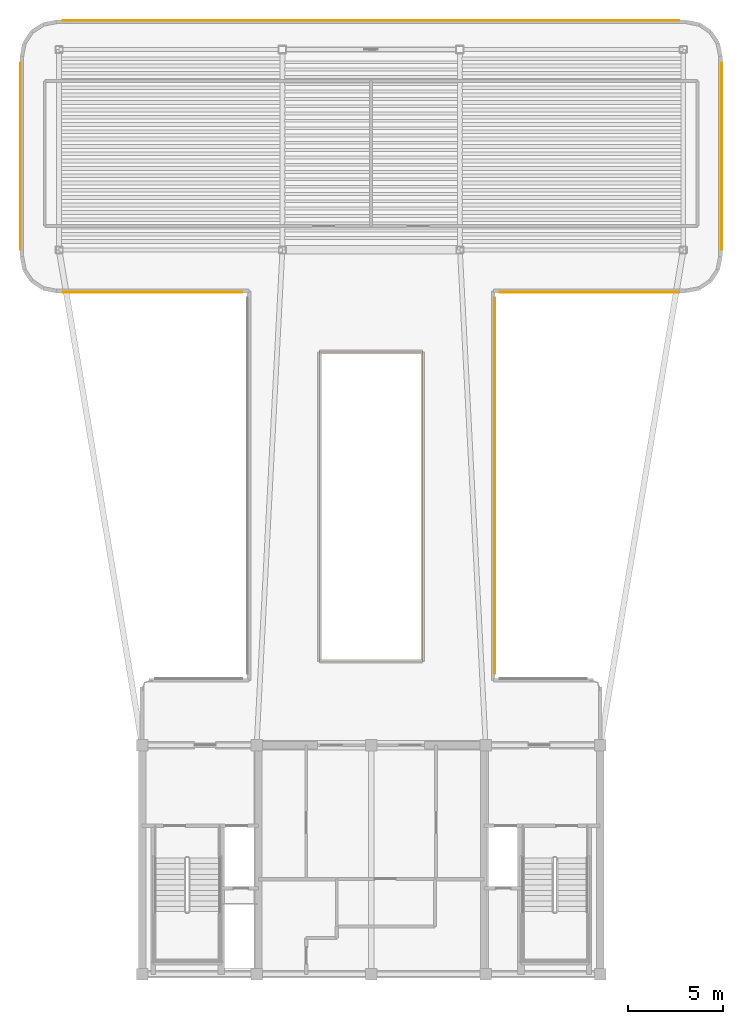
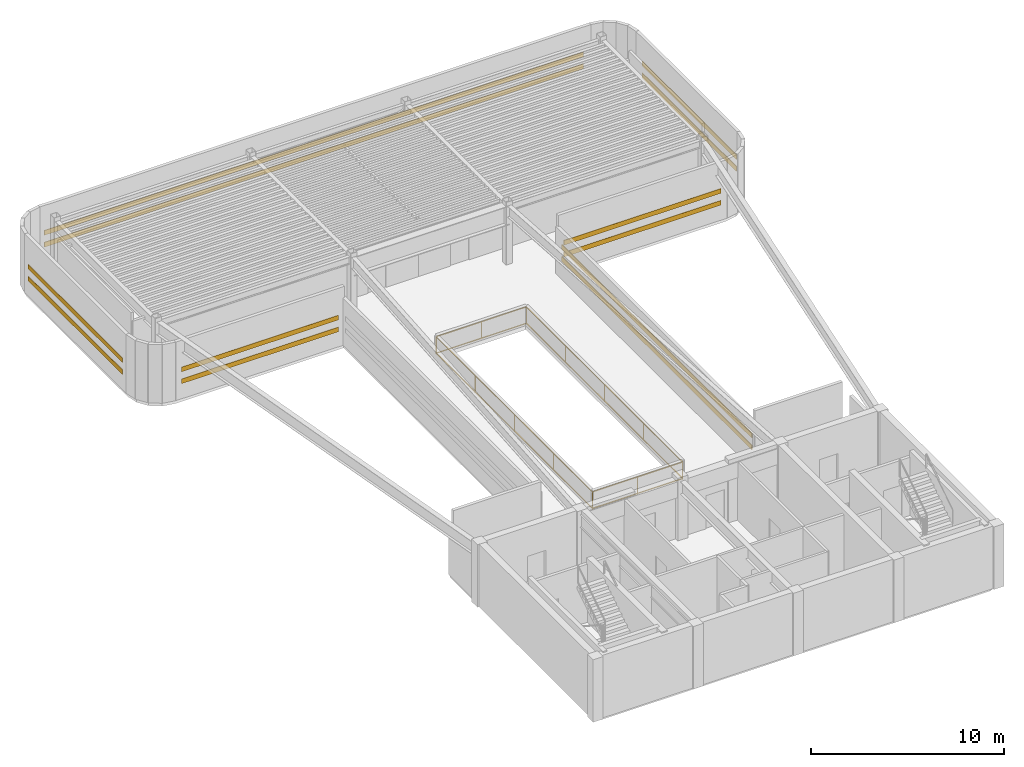
# One storey, part 6 of 6: 12 shading devices, 1 railing.
"""IFC4 building model written with IfcOpenShell, lengths in metres."""

import ifcopenshell
import ifcopenshell.guid

model = None  # the IFC model being written
_history = None  # IfcOwnerHistory: only IFC2X3 demands one
_inside = {}  # id of a spatial element -> (the spatial element, [elements in it])
_under = {}  # id of a project, library or spatial element -> (it, [spatial elements below it])
_declared = {}  # id of a project -> (the project, [libraries it declares])
_typed = {}  # id of a type object -> (the type object, [elements of that type])
_made_of = {}  # id of a material, layer set ... -> (it, [elements and type objects made of it])


def new_model(schema):
    """Start an empty IFC model of exactly this schema.

    Asked for "IFC4X3", IfcOpenShell would pick the latest addendum, in which some entities
    have other attributes; the version numbers below select the first issue.
    IFC2X3 requires an IfcOwnerHistory on every rooted entity: one is made here for all.
    """
    global model, _history
    if schema == "IFC4X3":
        model = ifcopenshell.file(schema_version=(4, 3, 0, 0))
    else:
        model = ifcopenshell.file(schema=schema)
    _inside.clear()
    _under.clear()
    _declared.clear()
    _typed.clear()
    _made_of.clear()
    _history = None
    if model.schema == "IFC2X3":
        org = make("IfcOrganization", Name="unknown")
        user = make(
            "IfcPersonAndOrganization",
            ThePerson=make("IfcPerson", FamilyName="unknown"),
            TheOrganization=org,
        )
        app = make(
            "IfcApplication",
            ApplicationDeveloper=org,
            Version="unknown",
            ApplicationFullName="unknown",
            ApplicationIdentifier="unknown",
        )
        _history = make(
            "IfcOwnerHistory",
            OwningUser=user,
            OwningApplication=app,
            ChangeAction="ADDED",
            CreationDate=0,
        )
    return model


def make(cls, **values):
    """One entity of the class cls with the attributes given. An attribute that is None is left unset."""
    return model.create_entity(
        cls, **{name: value for name, value in values.items() if value is not None}
    )


def rooted(cls, **values):
    """An entity with a GlobalId (a new one), such as an element, a storey or a relation."""
    return make(cls, GlobalId=ifcopenshell.guid.new(), OwnerHistory=_history, **values)


def si_unit(unit_type, name, prefix=None):
    """IfcSIUnit, for example si_unit("LENGTHUNIT", "METRE", prefix="MILLI")."""
    return make("IfcSIUnit", UnitType=unit_type, Prefix=prefix, Name=name)


def assignment(units):
    """IfcUnitAssignment: the units of a project."""
    return None if units is None else make("IfcUnitAssignment", Units=units)


def point(xyz):
    """IfcCartesianPoint."""
    return None if xyz is None else make("IfcCartesianPoint", Coordinates=xyz)


def direction(xyz):
    """IfcDirection."""
    return None if xyz is None else make("IfcDirection", DirectionRatios=xyz)


def frame(location, z_axis=None, x_axis=None):
    """IfcAxis2Placement3D, a coordinate frame: its origin and axes. An axis left out is left unset."""
    return make(
        "IfcAxis2Placement3D",
        Location=point(location),
        Axis=direction(z_axis),
        RefDirection=direction(x_axis),
    )


def frame_2d(location, x_axis=None):
    """IfcAxis2Placement2D, a coordinate frame in the plane: its origin and x axis."""
    return make(
        "IfcAxis2Placement2D", Location=point(location), RefDirection=direction(x_axis)
    )


def origin():
    """The frame at (0, 0, 0) with its axes left unset."""
    return frame((0.0, 0.0, 0.0))


def origin_2d():
    """The frame at (0, 0) in the plane with its x axis left unset."""
    return frame_2d((0.0, 0.0))


def place(relative_to, where):
    """IfcLocalPlacement: puts the frame where relative to a parent placement (None: the world)."""
    return make(
        "IfcLocalPlacement", PlacementRelTo=relative_to, RelativePlacement=where
    )


def context(
    kind, dimensions, precision=None, world=None, true_north=None, identifier=None
):
    """IfcGeometricRepresentationContext, for example the 3D "Model" context."""
    return make(
        "IfcGeometricRepresentationContext",
        ContextIdentifier=identifier,
        ContextType=kind,
        CoordinateSpaceDimension=dimensions,
        Precision=precision,
        WorldCoordinateSystem=world,
        TrueNorth=true_north,
    )


def subcontext(parent, identifier, kind, view, scale=None):
    """IfcGeometricRepresentationSubContext, for example "Body" below "Model"."""
    return make(
        "IfcGeometricRepresentationSubContext",
        ContextIdentifier=identifier,
        ContextType=kind,
        ParentContext=parent,
        TargetScale=scale,
        TargetView=view,
    )


def project(units=None, contexts=None):
    """IfcProject with its units and contexts."""
    return rooted(
        "IfcProject",
        Name="project",
        RepresentationContexts=contexts,
        UnitsInContext=assignment(units),
    )


def spatial(cls, under=None, at=None, **own):
    """A site, building, storey or space (cls), placed at a placement, below another one or the project."""
    s = rooted(cls, ObjectPlacement=at, **own)
    if under is not None:
        _under.setdefault(under.id(), (under, []))[1].append(s)
    return s


def profile(cls, at=None, kind="AREA", **sizes):
    """A parametric profile (cls). Its sizes go by their IFC names, for example OverallWidth=200.0."""
    return make(cls, ProfileType=kind, Position=at, **sizes)


def rectangle(**sizes):
    """IfcRectangleProfileDef."""
    return profile("IfcRectangleProfileDef", **sizes)


def extrude(swept, where, along, depth):
    """IfcExtrudedAreaSolid: the profile swept, set in the frame where, extruded along a direction by depth."""
    return make(
        "IfcExtrudedAreaSolid",
        SweptArea=swept,
        Position=where,
        ExtrudedDirection=direction(along),
        Depth=depth,
    )


def shape(context_of_items, identifier, shape_type, items):
    """IfcShapeRepresentation: the items that make up one representation, for example the "Body"."""
    return make(
        "IfcShapeRepresentation",
        ContextOfItems=context_of_items,
        RepresentationIdentifier=identifier,
        RepresentationType=shape_type,
        Items=items,
    )


def source(mapping_origin, context_of_items, identifier, shape_type, items):
    """IfcRepresentationMap: a shape defined once, which mapped items show again and again."""
    return make(
        "IfcRepresentationMap",
        MappingOrigin=mapping_origin,
        MappedRepresentation=shape(context_of_items, identifier, shape_type, items),
    )


def transform(
    local_origin,
    x_axis=None,
    y_axis=None,
    z_axis=None,
    scale=None,
    scale2=None,
    scale3=None,
    uniform=True,
):
    """IfcCartesianTransformationOperator3D, or its non-uniform kind. x_axis, y_axis, z_axis: its Axis1, 2, 3."""
    if uniform:
        return make(
            "IfcCartesianTransformationOperator3D",
            Axis1=direction(x_axis),
            Axis2=direction(y_axis),
            LocalOrigin=point(local_origin),
            Scale=scale,
            Axis3=direction(z_axis),
        )
    return make(
        "IfcCartesianTransformationOperator3DnonUniform",
        Axis1=direction(x_axis),
        Axis2=direction(y_axis),
        LocalOrigin=point(local_origin),
        Scale=scale,
        Axis3=direction(z_axis),
        Scale2=scale2,
        Scale3=scale3,
    )


def mapped(mapping_source, mapping_target):
    """IfcMappedItem: shows the shape of a source again, moved by a transform."""
    return make(
        "IfcMappedItem", MappingSource=mapping_source, MappingTarget=mapping_target
    )


def material(Name=None, Category=None):
    """IfcMaterial."""
    return make("IfcMaterial", Name=Name, Category=Category)


def layer(
    of_material, thickness, ventilated=None, Name=None, Category=None, Priority=None
):
    """IfcMaterialLayer: one layer of a wall or slab, of a material (None: an air gap)."""
    return make(
        "IfcMaterialLayer",
        Material=of_material,
        LayerThickness=thickness,
        IsVentilated=ventilated,
        Name=Name,
        Category=Category,
        Priority=Priority,
    )


def layer_set(layers, Name=None):
    """IfcMaterialLayerSet."""
    return make("IfcMaterialLayerSet", MaterialLayers=layers, LayerSetName=Name)


def material_profile(
    of_material, cross_section, Name=None, Category=None, Priority=None
):
    """IfcMaterialProfile: a cross section and its material."""
    return make(
        "IfcMaterialProfile",
        Name=Name,
        Material=of_material,
        Profile=cross_section,
        Priority=Priority,
        Category=Category,
    )


def profile_set(profiles, Name=None, composite=None):
    """IfcMaterialProfileSet."""
    return make(
        "IfcMaterialProfileSet",
        Name=Name,
        MaterialProfiles=profiles,
        CompositeProfile=composite,
    )


def made_of(thing, what):
    """Note that an element or type object is made of a material, layer set ...; save() writes the relation."""
    if what is not None:
        _made_of.setdefault(what.id(), (what, []))[1].append(thing)
    return thing


def type_object(cls, material=None, **own):
    """A type object (cls), such as IfcWallType, which elements share."""
    return made_of(rooted(cls, **own), material)


def element(
    cls,
    number,
    at=None,
    inside=None,
    cuts=None,
    type_object=None,
    material=None,
    context=None,
    identifier="Body",
    shape_type=None,
    held_by="IfcProductDefinitionShape",
    body=None,
    shapes=None,
    **own,
):
    """One element of the class cls, such as IfcWall. Its Tag is "e" and its number.

    at: its placement. inside: the storey or other place that contains it. cuts: it is an
    opening in that element (IfcRelVoidsElement). A single representation is given by context,
    identifier, shape_type and body (its items); several are given by shapes. held_by: the class
    of the entity that holds the representations. save() writes the other relations.
    """
    e = rooted(cls, Tag="e%d" % number, ObjectPlacement=at, **own)
    if body is not None:
        shapes = [shape(context, identifier, shape_type, body)]
    if shapes is not None:
        e.Representation = make(held_by, Representations=shapes)
    if inside is not None:
        _inside.setdefault(inside.id(), (inside, []))[1].append(e)
    if cuts is not None:
        rooted(
            "IfcRelVoidsElement", RelatingBuildingElement=cuts, RelatedOpeningElement=e
        )
    if type_object is not None:
        _typed.setdefault(type_object.id(), (type_object, []))[1].append(e)
    return made_of(e, material)


def aggregate(whole, parts):
    """IfcRelAggregates: a whole, such as a stair, and the parts it consists of."""
    return rooted("IfcRelAggregates", RelatingObject=whole, RelatedObjects=parts)


def save(model, path):
    """Write the relations noted so far, then the file.

    IfcRelAggregates (storeys below a building ...), IfcRelContainedInSpatialStructure (elements
    in a storey), IfcRelDefinesByType, IfcRelAssociatesMaterial and IfcRelDeclares: one each for
    every whole, place, type object, material and project.
    """
    for whole, parts in _under.values():
        aggregate(whole, parts)
    for where, things in _inside.values():
        rooted(
            "IfcRelContainedInSpatialStructure",
            RelatedElements=things,
            RelatingStructure=where,
        )
    for kind, things in _typed.values():
        rooted("IfcRelDefinesByType", RelatedObjects=things, RelatingType=kind)
    for what, things in _made_of.values():
        rooted("IfcRelAssociatesMaterial", RelatedObjects=things, RelatingMaterial=what)
    for by, libraries in _declared.values():
        rooted("IfcRelDeclares", RelatingContext=by, RelatedDefinitions=libraries)
    model.write(path)


model = new_model("IFC4")

# Units and contexts
model_context = context("Model", 3, precision=1e-05, world=origin(), true_north=direction((0.0, 1.0)))
body_context = subcontext(model_context, "Body", "Model", "MODEL_VIEW")
ifc_project = project(units=[si_unit("LENGTHUNIT", "METRE"), si_unit("AREAUNIT", "SQUARE_METRE"), si_unit("VOLUMEUNIT", "CUBIC_METRE"), si_unit("PLANEANGLEUNIT", "RADIAN"), si_unit("MASSUNIT", "GRAM", prefix="KILO")], contexts=[model_context])

# Site, building, storey
site_placement = place(None, origin())
site = spatial("IfcSite", under=ifc_project, at=site_placement, CompositionType="ELEMENT")
building_placement = place(site_placement, origin())
building = spatial("IfcBuilding", under=site, at=building_placement, Name="Brelvock Crest Care Tower", CompositionType="ELEMENT")
storey_placement = place(building_placement, frame((0.0, 0.0, 295.919921875)))
storey = spatial("IfcBuildingStorey", under=building, at=storey_placement, Name="L75", CompositionType="ELEMENT", Elevation=295.919921875)

# Railing
ifc_material_1 = material(Name="Steel Grade 350", Category="steel")
ifc_layer = layer(ifc_material_1, 0.06005859375, Name="RL-GRD1")
ifc_layer_set = layer_set([ifc_layer], Name="Steel Grade 350")
railing_type = type_object("IfcRailingType", Name="RL-GRD1", PredefinedType="GUARDRAIL", material=ifc_layer_set)
railing_placement = place(storey_placement, frame((33.300048828125, 22.39990234375, 0.004150390625)))
element("IfcRailing", 1, at=railing_placement, inside=storey, type_object=railing_type, Name="L75 Safety Balustrade PORTAL", PredefinedType="GUARDRAIL", context=body_context, shape_type="SweptSolid", body=[
    extrude(rectangle(XDim=0.048095703125, YDim=0.048095703125, at=origin_2d()), frame((0.001953125, 0.0, 1.09619140625), z_axis=(1.0, 0.0, 0.0), x_axis=(0.0, 1.0, 0.0)), (0.0, 0.0, 1.0), 5.39599609375),
    extrude(rectangle(XDim=0.048095703125, YDim=0.048095703125, at=origin_2d()), frame((0.001953125, 0.0, 0.054931640625), z_axis=(1.0, 0.0, 0.0), x_axis=(0.0, 1.0, 0.0)), (0.0, 0.0, 1.0), 5.39599609375),
    extrude(rectangle(XDim=0.048095703125, YDim=0.048095703125, at=origin_2d()), frame((5.39990234375, 0.001953125, 1.09619140625), z_axis=(0.0, 1.0, 0.0), x_axis=(-1.0, 0.0, 0.0)), (0.0, 0.0, 1.0), 16.1962890625),
    extrude(rectangle(XDim=0.048095703125, YDim=0.048095703125, at=origin_2d()), frame((5.39990234375, 0.001953125, 0.054931640625), z_axis=(0.0, 1.0, 0.0), x_axis=(-1.0, 0.0, 0.0)), (0.0, 0.0, 1.0), 16.1962890625),
    extrude(rectangle(XDim=0.048095703125, YDim=0.048095703125, at=origin_2d()), frame((5.39794921875, 16.2001953125, 1.09619140625), z_axis=(-1.0, 0.0, 0.0), x_axis=(0.0, -1.0, 0.0)), (0.0, 0.0, 1.0), 5.39599609375),
    extrude(rectangle(XDim=0.048095703125, YDim=0.048095703125, at=origin_2d()), frame((5.39794921875, 16.2001953125, 0.054931640625), z_axis=(-1.0, 0.0, 0.0), x_axis=(0.0, -1.0, 0.0)), (0.0, 0.0, 1.0), 5.39599609375),
    extrude(rectangle(XDim=0.048095703125, YDim=0.048095703125, at=origin_2d()), frame((0.0, 16.1982421875, 1.09619140625), z_axis=(0.0, -1.0, 0.0), x_axis=(1.0, 0.0, 0.0)), (0.0, 0.0, 1.0), 16.1962890625),
    extrude(rectangle(XDim=0.048095703125, YDim=0.048095703125, at=origin_2d()), frame((0.0, 16.1982421875, 0.054931640625), z_axis=(0.0, -1.0, 0.0), x_axis=(1.0, 0.0, 0.0)), (0.0, 0.0, 1.0), 16.1962890625),
    extrude(rectangle(XDim=0.0419921875, YDim=0.0419921875, at=origin_2d()), origin(), (0.0, 0.0, 1.0), 1.070068359375),
    extrude(rectangle(XDim=0.0419921875, YDim=0.0419921875, at=origin_2d()), frame((2.699951171875, 0.0, 0.0)), (0.0, 0.0, 1.0), 1.070068359375),
    extrude(rectangle(XDim=0.0419921875, YDim=0.0419921875, at=origin_2d()), frame((5.39990234375, 0.0, 0.0)), (0.0, 0.0, 1.0), 1.070068359375),
    extrude(rectangle(XDim=0.0419921875, YDim=0.0419921875, at=origin_2d()), frame((5.39990234375, 4.050048828125, 0.0)), (0.0, 0.0, 1.0), 1.070068359375),
    extrude(rectangle(XDim=0.0419921875, YDim=0.0419921875, at=origin_2d()), frame((5.39990234375, 8.10009765625, 0.0)), (0.0, 0.0, 1.0), 1.070068359375),
    extrude(rectangle(XDim=0.0419921875, YDim=0.0419921875, at=origin_2d()), frame((5.39990234375, 12.150146484375, 0.0)), (0.0, 0.0, 1.0), 1.070068359375),
    extrude(rectangle(XDim=0.0419921875, YDim=0.0419921875, at=origin_2d()), frame((5.39990234375, 16.2001953125, 0.0)), (0.0, 0.0, 1.0), 1.070068359375),
    extrude(rectangle(XDim=0.0419921875, YDim=0.0419921875, at=origin_2d()), frame((2.699951171875, 16.2001953125, 0.0)), (0.0, 0.0, 1.0), 1.070068359375),
    extrude(rectangle(XDim=0.0419921875, YDim=0.0419921875, at=origin_2d()), frame((0.0, 16.2001953125, 0.0)), (0.0, 0.0, 1.0), 1.070068359375),
    extrude(rectangle(XDim=0.0419921875, YDim=0.0419921875, at=origin_2d()), frame((0.0, 12.150146484375, 0.0)), (0.0, 0.0, 1.0), 1.070068359375),
    extrude(rectangle(XDim=0.0419921875, YDim=0.0419921875, at=origin_2d()), frame((0.0, 8.10009765625, 0.0)), (0.0, 0.0, 1.0), 1.070068359375),
    extrude(rectangle(XDim=0.0419921875, YDim=0.0419921875, at=origin_2d()), frame((0.0, 4.050048828125, 0.0)), (0.0, 0.0, 1.0), 1.070068359375),
])

# Shading devices
ifc_material_2 = material(Name="Aluminium 6063-T6", Category="aluminium")
ifc_material_profile_1 = material_profile(ifc_material_2, rectangle(XDim=0.044921875, YDim=0.300048828125, at=origin_2d()), Name="LOUVRE45x300")
ifc_profile_set_1 = profile_set([ifc_material_profile_1], Name="Aluminium 6063-T6")
shading_device_type_1 = type_object("IfcShadingDeviceType", Name="SHD-LV1", PredefinedType="JALOUSIE", material=ifc_profile_set_1)
shared_shape_1 = source(origin(), body_context, "Body", "SweptSolid", [
    extrude(rectangle(XDim=0.044921875, YDim=0.300048828125, at=origin_2d()), origin(), (0.0, 0.0, 1.0), 19.699951171875),
])
for number, where, z_axis, x_axis, name in (
    (2, (42.47509765625, 41.449951171875, 1.10009765625), (0.0, -1.0, 0.0), (1.0, 0.0, 0.0), "L75 Crown Acoustic Louvre 34-1"),
    (3, (42.47509765625, 41.449951171875, 1.85009765625), (0.0, -1.0, 0.0), (1.0, 0.0, 0.0), "L75 Crown Acoustic Louvre 34-2"),
):
    element("IfcShadingDevice", number, at=place(storey_placement, frame(where, z_axis=z_axis, x_axis=x_axis)), inside=storey, type_object=shading_device_type_1, Name=name, PredefinedType="JALOUSIE", context=body_context, shape_type="MappedRepresentation", body=[
        mapped(shared_shape_1, transform((0.0, 0.0, 0.0), x_axis=(1.0, 0.0, 0.0), y_axis=(0.0, 1.0, 0.0), z_axis=(0.0, 0.0, 1.0), scale=1.0)),
    ])
ifc_material_profile_2 = material_profile(ifc_material_2, rectangle(XDim=0.044921875, YDim=0.300048828125, at=origin_2d()), Name="LOUVRE45x300")
ifc_profile_set_2 = profile_set([ifc_material_profile_2], Name="Aluminium 6063-T6")
shading_device_type_2 = type_object("IfcShadingDeviceType", Name="SHD-SH1", PredefinedType="SHUTTER", material=ifc_profile_set_2)
shared_shape_2 = source(origin(), body_context, "Body", "SweptSolid", [
    extrude(rectangle(XDim=0.044921875, YDim=0.300048828125, at=origin_2d()), origin(), (0.0, 0.0, 1.0), 9.39990234375),
])
for number, where, z_axis, x_axis, name in (
    (4, (29.25, 41.72509765625, 1.10009765625), (-1.0, 0.0, 0.0), (0.0, -1.0, 0.0), "L75 Crown Acoustic Louvre 13-1"),
    (5, (29.25, 41.72509765625, 1.85009765625), (-1.0, 0.0, 0.0), (0.0, -1.0, 0.0), "L75 Crown Acoustic Louvre 13-2"),
    (6, (52.14990234375, 41.72509765625, 1.10009765625), (-1.0, 0.0, 0.0), (0.0, -1.0, 0.0), "L75 Crown Acoustic Louvre 33-1"),
    (7, (52.14990234375, 41.72509765625, 1.85009765625), (-1.0, 0.0, 0.0), (0.0, -1.0, 0.0), "L75 Crown Acoustic Louvre 33-2"),
):
    element("IfcShadingDevice", number, at=place(storey_placement, frame(where, z_axis=z_axis, x_axis=x_axis)), inside=storey, type_object=shading_device_type_2, Name=name, PredefinedType="SHUTTER", context=body_context, shape_type="MappedRepresentation", body=[
        mapped(shared_shape_2, transform((0.0, 0.0, 0.0), x_axis=(1.0, 0.0, 0.0), y_axis=(0.0, 1.0, 0.0), z_axis=(0.0, 0.0, 1.0), scale=1.0)),
    ])
shared_shape_3 = source(origin(), body_context, "Body", "SweptSolid", [
    extrude(rectangle(XDim=0.044921875, YDim=0.300048828125, at=origin_2d()), origin(), (0.0, 0.0, 1.0), 9.800048828125),
])
for number, where, z_axis, x_axis, name in (
    (8, (17.625, 43.949951171875, 1.10009765625), (0.0, 1.0, 0.0), (-1.0, 0.0, 0.0), "L75 Crown Acoustic Louvre 18-1"),
    (9, (17.625, 43.949951171875, 1.85009765625), (0.0, 1.0, 0.0), (-1.0, 0.0, 0.0), "L75 Crown Acoustic Louvre 18-2"),
    (10, (54.375, 53.75, 1.10009765625), (0.0, -1.0, 0.0), (1.0, 0.0, 0.0), "L75 Crown Acoustic Louvre 28-1"),
    (11, (54.375, 53.75, 1.85009765625), (0.0, -1.0, 0.0), (1.0, 0.0, 0.0), "L75 Crown Acoustic Louvre 28-2"),
):
    element("IfcShadingDevice", number, at=place(storey_placement, frame(where, z_axis=z_axis, x_axis=x_axis)), inside=storey, type_object=shading_device_type_1, Name=name, PredefinedType="JALOUSIE", context=body_context, shape_type="MappedRepresentation", body=[
        mapped(shared_shape_3, transform((0.0, 0.0, 0.0), x_axis=(1.0, 0.0, 0.0), y_axis=(0.0, 1.0, 0.0), z_axis=(0.0, 0.0, 1.0), scale=1.0)),
    ])
shared_shape_4 = source(origin(), body_context, "Body", "SweptSolid", [
    extrude(rectangle(XDim=0.044921875, YDim=0.300048828125, at=origin_2d()), origin(), (0.0, 0.0, 1.0), 32.2998046875),
])
for number, where, z_axis, x_axis, name in (
    (12, (19.85009765625, 55.97509765625, 1.10009765625), (1.0, 0.0, 0.0), (0.0, 1.0, 0.0), "L75 Crown Acoustic Louvre 23-1"),
    (13, (19.85009765625, 55.97509765625, 1.85009765625), (1.0, 0.0, 0.0), (0.0, 1.0, 0.0), "L75 Crown Acoustic Louvre 23-2"),
):
    element("IfcShadingDevice", number, at=place(storey_placement, frame(where, z_axis=z_axis, x_axis=x_axis)), inside=storey, type_object=shading_device_type_2, Name=name, PredefinedType="SHUTTER", context=body_context, shape_type="MappedRepresentation", body=[
        mapped(shared_shape_4, transform((0.0, 0.0, 0.0), x_axis=(1.0, 0.0, 0.0), y_axis=(0.0, 1.0, 0.0), z_axis=(0.0, 0.0, 1.0), scale=1.0)),
    ])

save(model, "model.ifc")
